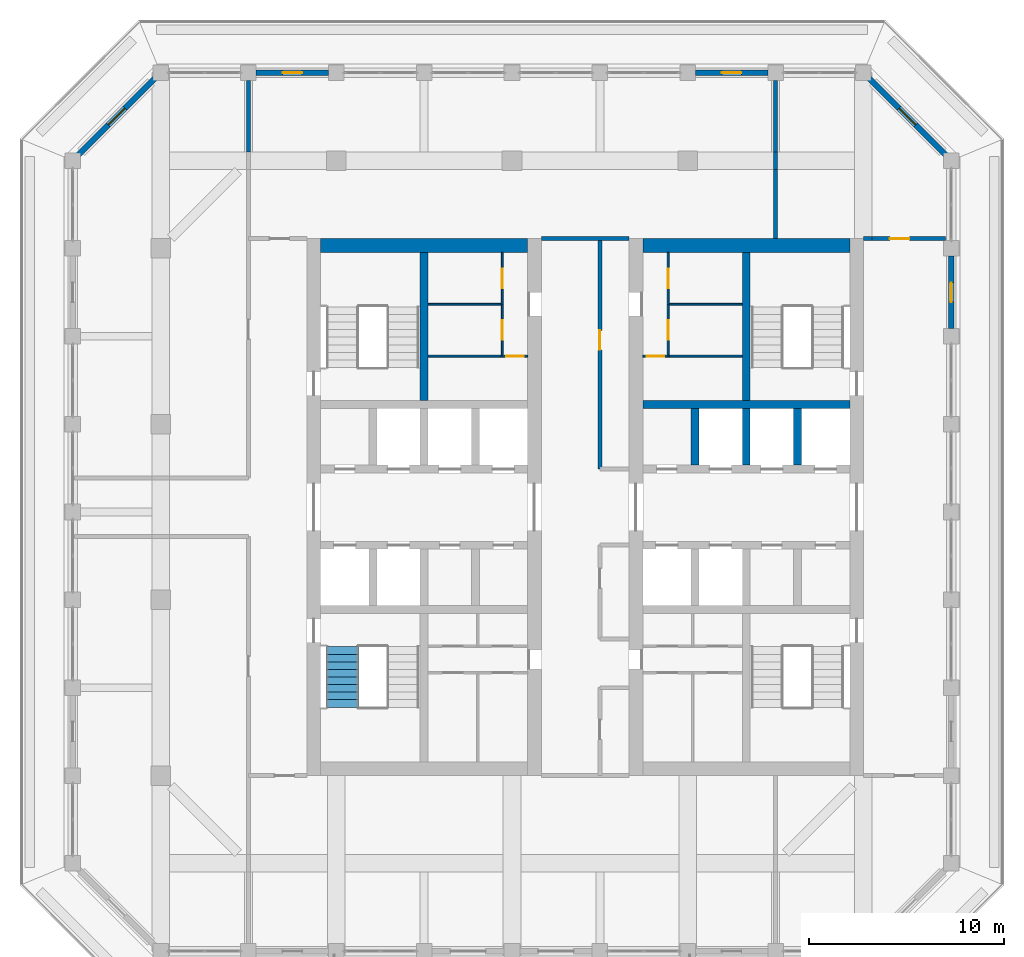
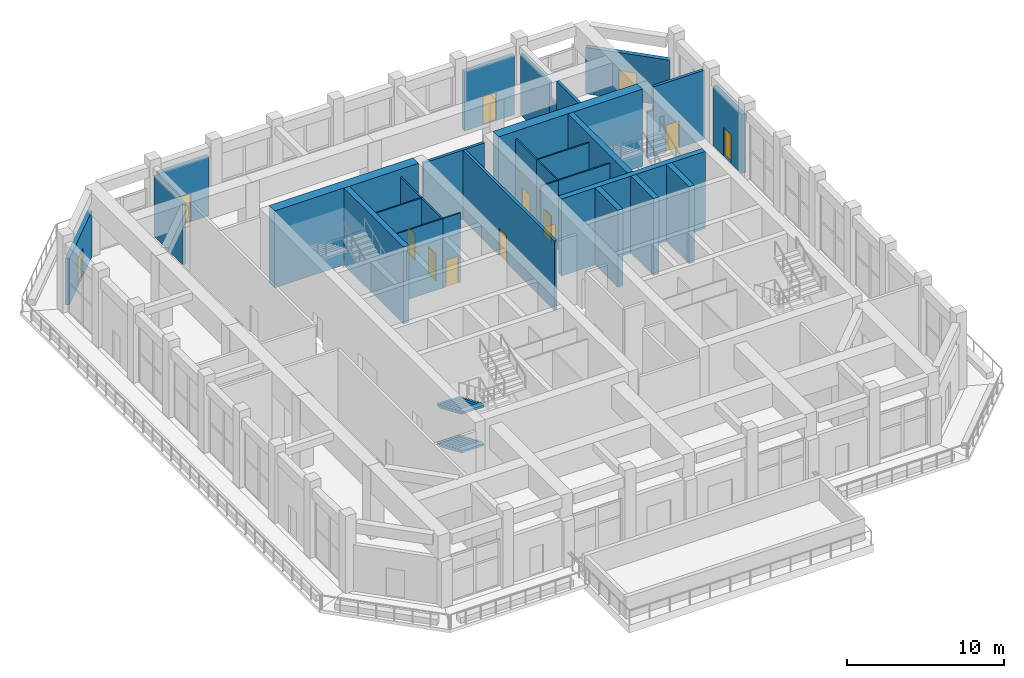
# One storey, part 12 of 20: 31 walls, 13 doors, 2 stair flights, 13 openings, 1 element without a shape of its own.
"""IFC4 building model written with IfcOpenShell, lengths in metres."""

from ifc_helpers import new_model, si_unit, direction, frame, frame_2d, origin, place, context, subcontext, project, spatial, polyline, rectangle, outline, extrude, material, layer, layer_set, type_object, element, fill, aggregate, save


model = new_model("IFC4")

# Units and contexts
model_context = context("Model", 3, precision=1e-05, world=origin(), true_north=direction((0.0, 1.0)))
body_context = subcontext(model_context, "Body", "Model", "MODEL_VIEW")
ifc_project = project(units=[si_unit("LENGTHUNIT", "METRE"), si_unit("AREAUNIT", "SQUARE_METRE"), si_unit("VOLUMEUNIT", "CUBIC_METRE"), si_unit("PLANEANGLEUNIT", "RADIAN"), si_unit("MASSUNIT", "GRAM", prefix="KILO")], contexts=[model_context])

# Site, building, storey
site_placement = place(None, origin())
site = spatial("IfcSite", under=ifc_project, at=site_placement, CompositionType="ELEMENT")
building_placement = place(site_placement, origin())
building = spatial("IfcBuilding", under=site, at=building_placement, Name="Corbel Stack Research Tower", CompositionType="ELEMENT")
storey_placement = place(building_placement, frame((0.0, 0.0, 295.0)))
storey = spatial("IfcBuildingStorey", under=building, at=storey_placement, Name="L67", CompositionType="ELEMENT", Elevation=295.0)

# Walls
ifc_material_1 = material(Name="Concrete C60/75", Category="concrete")
ifc_layer_1 = layer(ifc_material_1, 0.39990234375)
ifc_layer_set_1 = layer_set([ifc_layer_1], Name="Concrete C60/75")
wall_type_1 = type_object("IfcWallType", Name="CW-400-60", PredefinedType="SHEAR", material=ifc_layer_set_1)
wall_1_placement = place(storey_placement, frame((-4.5, 10.199951171875, 0.0), z_axis=(0.0, 0.0, 1.0), x_axis=(0.0, 1.0, 0.0)))
element("IfcWall", 1, at=wall_1_placement, inside=storey, type_object=wall_type_1, Name="West core wall, north stair and riser L67", PredefinedType="SHEAR", context=body_context, shape_type="SweptSolid", body=[
    extrude(rectangle(XDim=7.60009765625, YDim=0.39990234375, at=frame_2d((3.800048828125, 0.0))), origin(), (0.0, 0.0, 1.0), 6.0),
])
wall_2_placement = place(storey_placement, frame((6.699951171875, 10.0, 0.0), z_axis=(0.0, 0.0, 1.0), x_axis=(1.0, 0.0, 0.0)))
element("IfcWall", 2, at=wall_2_placement, inside=storey, type_object=wall_type_1, Name="East core wall, north row back L67", PredefinedType="SHEAR", context=body_context, shape_type="SweptSolid", body=[
    extrude(rectangle(XDim=10.60009765625, YDim=0.39990234375, at=frame_2d((5.300048828125, 0.0))), origin(), (0.0, 0.0, 1.0), 6.0),
])
for number, where, z_axis, x_axis, name in (
    (3, (9.375, 6.89990234375, 0.0), (0.0, 0.0, 1.0), (0.0, 1.0, 0.0), "East core wall, north shaft 1 L67"),
    (4, (12.0, 6.89990234375, 0.0), (0.0, 0.0, 1.0), (0.0, 1.0, 0.0), "East core wall, north shaft 2 L67"),
    (5, (14.625, 6.89990234375, 0.0), (0.0, 0.0, 1.0), (0.0, 1.0, 0.0), "East core wall, north shaft 3 L67"),
):
    element("IfcWall", number, at=place(storey_placement, frame(where, z_axis=z_axis, x_axis=x_axis)), inside=storey, type_object=wall_type_1, Name=name, PredefinedType="SHEAR", context=body_context, shape_type="SweptSolid", body=[
        extrude(rectangle(XDim=2.900146484375, YDim=0.39990234375, at=frame_2d((1.4501953125, 0.0))), origin(), (0.0, 0.0, 1.0), 6.0),
    ])
wall_3_placement = place(storey_placement, frame((12.0, 10.199951171875, 0.0), z_axis=(0.0, 0.0, 1.0), x_axis=(0.0, 1.0, 0.0)))
element("IfcWall", 6, at=wall_3_placement, inside=storey, type_object=wall_type_1, Name="East core wall, north stair and riser L67", PredefinedType="SHEAR", context=body_context, shape_type="SweptSolid", body=[
    extrude(rectangle(XDim=7.60009765625, YDim=0.39990234375, at=frame_2d((3.800048828125, 0.0))), origin(), (0.0, 0.0, 1.0), 6.0),
])
ifc_material_2 = material(Name="Concrete C60/75", Category="concrete")
ifc_layer_2 = layer(ifc_material_2, 0.699951171875)
ifc_layer_set_2 = layer_set([ifc_layer_2], Name="Concrete C60/75")
wall_type_2 = type_object("IfcWallType", Name="CW-700-60", PredefinedType="SHEAR", material=ifc_layer_set_2)
for number, where, z_axis, x_axis, name in (
    (7, (-9.800048828125, 18.14990234375, 0.0), (0.0, 0.0, 1.0), (1.0, 0.0, 0.0), "West core wall, north end L67"),
    (8, (6.699951171875, 18.14990234375, 0.0), (0.0, 0.0, 1.0), (1.0, 0.0, 0.0), "East core wall, north end L67"),
):
    element("IfcWall", number, at=place(storey_placement, frame(where, z_axis=z_axis, x_axis=x_axis)), inside=storey, type_object=wall_type_2, Name=name, PredefinedType="SHEAR", context=body_context, shape_type="SweptSolid", body=[
        extrude(rectangle(XDim=10.60009765625, YDim=0.699951171875, at=frame_2d((5.300048828125, 0.0))), origin(), (0.0, 0.0, 1.0), 6.0),
    ])

# Wall, opening, door
ifc_material_3 = material(Name="Gypsum board")
ifc_layer_3 = layer(ifc_material_3, 0.10009765625)
ifc_layer_set_3 = layer_set([ifc_layer_3], Name="Gypsum board")
wall_type_3 = type_object("IfcWallType", Name="Core partition 100", PredefinedType="PARTITIONING", material=ifc_layer_set_3)
wall_4_placement = place(storey_placement, frame((-0.5, 12.47998046875, 0.0), z_axis=(0.0, 0.0, 1.0), x_axis=(1.0, 0.0, 0.0)))
wall_4 = element("IfcWall", 9, at=wall_4_placement, inside=storey, type_object=wall_type_3, Name="Core partition W", PredefinedType="PARTITIONING", context=body_context, shape_type="SweptSolid", body=[
    extrude(rectangle(XDim=1.300048828125, YDim=0.10009765625, at=frame_2d((0.64990234375, 0.0))), origin(), (0.0, 0.0, 1.0), 5.39990234375),
])
opening_1_placement = place(wall_4_placement, frame((0.199951171875, 0.0, 0.0)))
opening_1 = element("IfcOpeningElement", 10, at=opening_1_placement, cuts=wall_4, Name="Opening CR-W54-R1-900", PredefinedType="OPENING", context=body_context, shape_type="SweptSolid", body=[
    extrude(rectangle(XDim=0.89990234375, YDim=2.10009765625, at=frame_2d((0.449951171875, 1.050048828125))), frame((0.0, 0.06005859375, 0.0), z_axis=(0.0, -1.0, 0.0), x_axis=(1.0, 0.0, 0.0)), (0.0, 0.0, 1.0), 0.1201171875),
])
ifc_material_4 = material(Name="Painted steel door", Category="steel")
door_type_1 = type_object("IfcDoorType", Name="Riser door 900 x 2100 FD60 left hand", OperationType="SINGLE_SWING_LEFT", PredefinedType="DOOR", material=ifc_material_4)
door_1_placement = place(opening_1_placement, origin())
door_1 = element("IfcDoor", 11, at=door_1_placement, inside=storey, type_object=door_type_1, Name="Electrical riser door W core", OperationType="SINGLE_SWING_LEFT", OverallHeight=2.10009765625, OverallWidth=0.89990234375, PredefinedType="DOOR", context=body_context, shape_type="SweptSolid", body=[
    extrude(rectangle(XDim=0.89990234375, YDim=2.10009765625, at=frame_2d((0.449951171875, 1.050048828125))), frame((0.0, 0.02490234375, 0.0), z_axis=(0.0, -1.0, 0.0), x_axis=(1.0, 0.0, 0.0)), (0.0, 0.0, 1.0), 0.050048828125),
])
fill(opening_1, door_1)

# Wall
wall_5_placement = place(storey_placement, frame((-4.300048828125, 12.47998046875, 0.0), z_axis=(0.0, 0.0, 1.0), x_axis=(1.0, 0.0, 0.0)))
element("IfcWall", 12, at=wall_5_placement, inside=storey, type_object=wall_type_3, Name="Core partition W", PredefinedType="PARTITIONING", context=body_context, shape_type="SweptSolid", body=[
    extrude(rectangle(XDim=3.800048828125, YDim=0.10009765625, at=frame_2d((1.89990234375, 0.0))), origin(), (0.0, 0.0, 1.0), 5.39990234375),
])

# Wall, opening, door
wall_6_placement = place(storey_placement, frame((-0.5, 12.47998046875, 0.0), z_axis=(0.0, 0.0, 1.0), x_axis=(0.0, 1.0, 0.0)))
wall_6 = element("IfcWall", 13, at=wall_6_placement, inside=storey, type_object=wall_type_3, Name="Core partition W", PredefinedType="PARTITIONING", context=body_context, shape_type="SweptSolid", body=[
    extrude(rectangle(XDim=2.659912109375, YDim=0.10009765625, at=frame_2d((1.330078125, 0.0))), origin(), (0.0, 0.0, 1.0), 5.39990234375),
])
opening_2_placement = place(wall_6_placement, frame((0.830078125, 0.0, 0.0)))
opening_2 = element("IfcOpeningElement", 14, at=opening_2_placement, cuts=wall_6, Name="Opening CR-W54-R3-1000", PredefinedType="OPENING", context=body_context, shape_type="SweptSolid", body=[
    extrude(rectangle(XDim=1.0, YDim=2.10009765625, at=frame_2d((0.5, 1.050048828125))), frame((0.0, 0.06005859375, 0.0), z_axis=(0.0, -1.0, 0.0), x_axis=(1.0, 0.0, 0.0)), (0.0, 0.0, 1.0), 0.1201171875),
])
ifc_material_5 = material(Name="Painted steel door", Category="steel")
door_type_2 = type_object("IfcDoorType", Name="Service door 1000 x 2100 FD30 left hand", OperationType="SINGLE_SWING_LEFT", PredefinedType="DOOR", material=ifc_material_5)
door_2_placement = place(opening_2_placement, origin())
door_2 = element("IfcDoor", 15, at=door_2_placement, inside=storey, type_object=door_type_2, Name="Pantry door W core", OperationType="SINGLE_SWING_LEFT", OverallHeight=2.10009765625, OverallWidth=1.0, PredefinedType="DOOR", context=body_context, shape_type="SweptSolid", body=[
    extrude(rectangle(XDim=1.0, YDim=2.10009765625, at=frame_2d((0.5, 1.050048828125))), frame((0.0, 0.02490234375, 0.0), z_axis=(0.0, -1.0, 0.0), x_axis=(1.0, 0.0, 0.0)), (0.0, 0.0, 1.0), 0.050048828125),
])
fill(opening_2, door_2)

wall_7_placement = place(storey_placement, frame((-0.5, 15.139892578125, 0.0), z_axis=(0.0, 0.0, 1.0), x_axis=(0.0, 1.0, 0.0)))
wall_7 = element("IfcWall", 16, at=wall_7_placement, inside=storey, type_object=wall_type_3, Name="Core partition W", PredefinedType="PARTITIONING", context=body_context, shape_type="SweptSolid", body=[
    extrude(rectangle(XDim=2.66015625, YDim=0.10009765625, at=frame_2d((1.330078125, 0.0))), origin(), (0.0, 0.0, 1.0), 5.39990234375),
])
opening_3_placement = place(wall_7_placement, frame((0.830078125, 0.0, 0.0)))
opening_3 = element("IfcOpeningElement", 17, at=opening_3_placement, cuts=wall_7, Name="Opening CR-W54-R4-1000", PredefinedType="OPENING", context=body_context, shape_type="SweptSolid", body=[
    extrude(rectangle(XDim=1.0, YDim=2.10009765625, at=frame_2d((0.5, 1.050048828125))), frame((0.0, 0.06005859375, 0.0), z_axis=(0.0, -1.0, 0.0), x_axis=(1.0, 0.0, 0.0)), (0.0, 0.0, 1.0), 0.1201171875),
])
ifc_material_6 = material(Name="Painted steel door", Category="steel")
door_type_3 = type_object("IfcDoorType", Name="Service door 1000 x 2100 FD30 right hand", OperationType="SINGLE_SWING_RIGHT", PredefinedType="DOOR", material=ifc_material_6)
door_3_placement = place(opening_3_placement, origin())
door_3 = element("IfcDoor", 18, at=door_3_placement, inside=storey, type_object=door_type_3, Name="Copy and supply store door W core", OperationType="SINGLE_SWING_RIGHT", OverallHeight=2.10009765625, OverallWidth=1.0, PredefinedType="DOOR", context=body_context, shape_type="SweptSolid", body=[
    extrude(rectangle(XDim=1.0, YDim=2.10009765625, at=frame_2d((0.5, 1.050048828125))), frame((0.0, 0.02490234375, 0.0), z_axis=(0.0, -1.0, 0.0), x_axis=(1.0, 0.0, 0.0)), (0.0, 0.0, 1.0), 0.050048828125),
])
fill(opening_3, door_3)

# Wall
wall_8_placement = place(storey_placement, frame((-4.300048828125, 15.139892578125, 0.0), z_axis=(0.0, 0.0, 1.0), x_axis=(1.0, 0.0, 0.0)))
element("IfcWall", 19, at=wall_8_placement, inside=storey, type_object=wall_type_3, Name="Core partition W", PredefinedType="PARTITIONING", context=body_context, shape_type="SweptSolid", body=[
    extrude(rectangle(XDim=3.800048828125, YDim=0.10009765625, at=frame_2d((1.89990234375, 0.0))), origin(), (0.0, 0.0, 1.0), 5.39990234375),
])

# Wall, opening, door
wall_9_placement = place(storey_placement, frame((6.699951171875, 12.47998046875, 0.0), z_axis=(0.0, 0.0, 1.0), x_axis=(1.0, 0.0, 0.0)))
wall_9 = element("IfcWall", 20, at=wall_9_placement, inside=storey, type_object=wall_type_3, Name="Core partition E", PredefinedType="PARTITIONING", context=body_context, shape_type="SweptSolid", body=[
    extrude(rectangle(XDim=1.300048828125, YDim=0.10009765625, at=frame_2d((0.64990234375, 0.0))), origin(), (0.0, 0.0, 1.0), 5.39990234375),
])
opening_4_placement = place(wall_9_placement, frame((0.199951171875, 0.0, 0.0)))
opening_4 = element("IfcOpeningElement", 21, at=opening_4_placement, cuts=wall_9, Name="Opening CR-E54-R1-900", PredefinedType="OPENING", context=body_context, shape_type="SweptSolid", body=[
    extrude(rectangle(XDim=0.89990234375, YDim=2.10009765625, at=frame_2d((0.449951171875, 1.050048828125))), frame((0.0, 0.06005859375, 0.0), z_axis=(0.0, -1.0, 0.0), x_axis=(1.0, 0.0, 0.0)), (0.0, 0.0, 1.0), 0.1201171875),
])
ifc_material_7 = material(Name="Painted steel door", Category="steel")
door_type_4 = type_object("IfcDoorType", Name="Riser door 900 x 2100 FD60 right hand", OperationType="SINGLE_SWING_RIGHT", PredefinedType="DOOR", material=ifc_material_7)
door_4_placement = place(opening_4_placement, origin())
door_4 = element("IfcDoor", 22, at=door_4_placement, inside=storey, type_object=door_type_4, Name="Electrical riser door E core", OperationType="SINGLE_SWING_RIGHT", OverallHeight=2.10009765625, OverallWidth=0.89990234375, PredefinedType="DOOR", context=body_context, shape_type="SweptSolid", body=[
    extrude(rectangle(XDim=0.89990234375, YDim=2.10009765625, at=frame_2d((0.449951171875, 1.050048828125))), frame((0.0, 0.02490234375, 0.0), z_axis=(0.0, -1.0, 0.0), x_axis=(1.0, 0.0, 0.0)), (0.0, 0.0, 1.0), 0.050048828125),
])
fill(opening_4, door_4)

# Wall
wall_10_placement = place(storey_placement, frame((8.0, 12.47998046875, 0.0), z_axis=(0.0, 0.0, 1.0), x_axis=(1.0, 0.0, 0.0)))
element("IfcWall", 23, at=wall_10_placement, inside=storey, type_object=wall_type_3, Name="Core partition E", PredefinedType="PARTITIONING", context=body_context, shape_type="SweptSolid", body=[
    extrude(rectangle(XDim=3.800048828125, YDim=0.10009765625, at=frame_2d((1.89990234375, 0.0))), origin(), (0.0, 0.0, 1.0), 5.39990234375),
])

# Wall, opening, door
wall_11_placement = place(storey_placement, frame((8.0, 12.47998046875, 0.0), z_axis=(0.0, 0.0, 1.0), x_axis=(0.0, 1.0, 0.0)))
wall_11 = element("IfcWall", 24, at=wall_11_placement, inside=storey, type_object=wall_type_3, Name="Core partition E", PredefinedType="PARTITIONING", context=body_context, shape_type="SweptSolid", body=[
    extrude(rectangle(XDim=2.659912109375, YDim=0.10009765625, at=frame_2d((1.330078125, 0.0))), origin(), (0.0, 0.0, 1.0), 5.39990234375),
])
opening_5_placement = place(wall_11_placement, frame((0.830078125, 0.0, 0.0)))
opening_5 = element("IfcOpeningElement", 25, at=opening_5_placement, cuts=wall_11, Name="Opening CR-E54-R3-1000", PredefinedType="OPENING", context=body_context, shape_type="SweptSolid", body=[
    extrude(rectangle(XDim=1.0, YDim=2.10009765625, at=frame_2d((0.5, 1.050048828125))), frame((0.0, 0.06005859375, 0.0), z_axis=(0.0, -1.0, 0.0), x_axis=(1.0, 0.0, 0.0)), (0.0, 0.0, 1.0), 0.1201171875),
])
door_5_placement = place(opening_5_placement, origin())
door_5 = element("IfcDoor", 26, at=door_5_placement, inside=storey, type_object=door_type_3, Name="Pantry door E core", OperationType="SINGLE_SWING_RIGHT", OverallHeight=2.10009765625, OverallWidth=1.0, PredefinedType="DOOR", context=body_context, shape_type="SweptSolid", body=[
    extrude(rectangle(XDim=1.0, YDim=2.10009765625, at=frame_2d((0.5, 1.050048828125))), frame((0.0, 0.02490234375, 0.0), z_axis=(0.0, -1.0, 0.0), x_axis=(1.0, 0.0, 0.0)), (0.0, 0.0, 1.0), 0.050048828125),
])
fill(opening_5, door_5)

wall_12_placement = place(storey_placement, frame((8.0, 15.139892578125, 0.0), z_axis=(0.0, 0.0, 1.0), x_axis=(0.0, 1.0, 0.0)))
wall_12 = element("IfcWall", 27, at=wall_12_placement, inside=storey, type_object=wall_type_3, Name="Core partition E", PredefinedType="PARTITIONING", context=body_context, shape_type="SweptSolid", body=[
    extrude(rectangle(XDim=2.66015625, YDim=0.10009765625, at=frame_2d((1.330078125, 0.0))), origin(), (0.0, 0.0, 1.0), 5.39990234375),
])
opening_6_placement = place(wall_12_placement, frame((0.830078125, 0.0, 0.0)))
opening_6 = element("IfcOpeningElement", 28, at=opening_6_placement, cuts=wall_12, Name="Opening CR-E54-R4-1000", PredefinedType="OPENING", context=body_context, shape_type="SweptSolid", body=[
    extrude(rectangle(XDim=1.0, YDim=2.10009765625, at=frame_2d((0.5, 1.050048828125))), frame((0.0, 0.06005859375, 0.0), z_axis=(0.0, -1.0, 0.0), x_axis=(1.0, 0.0, 0.0)), (0.0, 0.0, 1.0), 0.1201171875),
])
door_6_placement = place(opening_6_placement, origin())
door_6 = element("IfcDoor", 29, at=door_6_placement, inside=storey, type_object=door_type_2, Name="Copy and supply store door E core", OperationType="SINGLE_SWING_LEFT", OverallHeight=2.10009765625, OverallWidth=1.0, PredefinedType="DOOR", context=body_context, shape_type="SweptSolid", body=[
    extrude(rectangle(XDim=1.0, YDim=2.10009765625, at=frame_2d((0.5, 1.050048828125))), frame((0.0, 0.02490234375, 0.0), z_axis=(0.0, -1.0, 0.0), x_axis=(1.0, 0.0, 0.0)), (0.0, 0.0, 1.0), 0.050048828125),
])
fill(opening_6, door_6)

# Walls
wall_13_placement = place(storey_placement, frame((8.0, 15.139892578125, 0.0), z_axis=(0.0, 0.0, 1.0), x_axis=(1.0, 0.0, 0.0)))
element("IfcWall", 30, at=wall_13_placement, inside=storey, type_object=wall_type_3, Name="Core partition E", PredefinedType="PARTITIONING", context=body_context, shape_type="SweptSolid", body=[
    extrude(rectangle(XDim=3.800048828125, YDim=0.10009765625, at=frame_2d((1.89990234375, 0.0))), origin(), (0.0, 0.0, 1.0), 5.39990234375),
])
ifc_material_8 = material(Name="Fire-rated gypsum board partition on steel studs", Category="steel")
ifc_layer_4 = layer(ifc_material_8, 0.199951171875)
ifc_layer_set_4 = layer_set([ifc_layer_4], Name="Fire-rated gypsum board partition on steel studs")
wall_type_4 = type_object("IfcWallType", Name="Fire-rated partition 200 EI 60", PredefinedType="PARTITIONING", material=ifc_layer_set_4)
wall_14_placement = place(storey_placement, frame((-13.5, 22.949951171875, 0.0), z_axis=(0.0, 0.0, 1.0), x_axis=(0.0, 1.0, 0.0)))
element("IfcWall", 31, at=wall_14_placement, inside=storey, type_object=wall_type_4, Name="Partition L67-006", PredefinedType="PARTITIONING", context=body_context, shape_type="SweptSolid", body=[
    extrude(rectangle(XDim=3.650146484375, YDim=0.199951171875, at=frame_2d((1.8251953125, 0.0))), origin(), (0.0, 0.0, 1.0), 4.77001953125),
])

# Wall, opening, door
wall_15_placement = place(storey_placement, frame((4.5, 18.5, 0.0), z_axis=(0.0, 0.0, 1.0), x_axis=(0.0, -1.0, 0.0)))
wall_15 = element("IfcWall", 32, at=wall_15_placement, inside=storey, type_object=wall_type_4, Name="Partition L67-009", PredefinedType="PARTITIONING", context=body_context, shape_type="SweptSolid", body=[
    extrude(rectangle(XDim=11.800048828125, YDim=0.199951171875, at=frame_2d((5.89990234375, 0.0))), origin(), (0.0, 0.0, 1.0), 5.39990234375),
])
opening_7_placement = place(wall_15_placement, frame((4.699951171875, 0.0, 0.0)))
opening_7 = element("IfcOpeningElement", 33, at=opening_7_placement, cuts=wall_15, Name="Opening B8AM-007", PredefinedType="OPENING", context=body_context, shape_type="SweptSolid", body=[
    extrude(rectangle(XDim=1.0, YDim=2.10009765625, at=frame_2d((0.5, 1.050048828125))), frame((0.0, 0.10986328125, 0.0), z_axis=(0.0, -1.0, 0.0), x_axis=(1.0, 0.0, 0.0)), (0.0, 0.0, 1.0), 0.219970703125),
])
ifc_material_9 = material(Name="Painted steel fire door", Category="steel")
door_type_5 = type_object("IfcDoorType", Name="Fire door FD30S 1000 x 2100", OperationType="NOTDEFINED", PredefinedType="DOOR", material=ifc_material_9)
door_7_placement = place(opening_7_placement, origin())
door_7 = element("IfcDoor", 34, at=door_7_placement, inside=storey, type_object=door_type_5, Name="Door B8AM-007", OperationType="SINGLE_SWING_LEFT", OverallHeight=2.10009765625, OverallWidth=1.0, PredefinedType="DOOR", context=body_context, shape_type="SweptSolid", body=[
    extrude(rectangle(XDim=1.0, YDim=2.10009765625, at=frame_2d((0.5, 1.050048828125))), frame((0.0, 0.02490234375, 0.0), z_axis=(0.0, -1.0, 0.0), x_axis=(1.0, 0.0, 0.0)), (0.0, 0.0, 1.0), 0.050048828125),
])
fill(opening_7, door_7)

# Walls
wall_16_placement = place(storey_placement, frame((13.5, 18.5, 0.0), z_axis=(0.0, 0.0, 1.0), x_axis=(0.0, 1.0, 0.0)))
element("IfcWall", 35, at=wall_16_placement, inside=storey, type_object=wall_type_4, Name="Partition L67-013", PredefinedType="PARTITIONING", context=body_context, shape_type="SweptSolid", body=[
    extrude(rectangle(XDim=3.550048828125, YDim=0.199951171875, at=frame_2d((1.77490234375, 0.0))), origin(), (0.0, 0.0, 1.0), 5.39990234375),
])
wall_17_placement = place(storey_placement, frame((13.5, 22.050048828125, 0.0), z_axis=(0.0, 0.0, 1.0), x_axis=(0.0, 1.0, 0.0)))
element("IfcWall", 36, at=wall_17_placement, inside=storey, type_object=wall_type_4, Name="Partition L67-014", PredefinedType="PARTITIONING", context=body_context, shape_type="SweptSolid", body=[
    extrude(rectangle(XDim=0.89990234375, YDim=0.199951171875, at=frame_2d((0.449951171875, 0.0))), origin(), (0.0, 0.0, 1.0), 3.570068359375),
])
wall_18_placement = place(storey_placement, frame((13.5, 22.949951171875, 0.0), z_axis=(0.0, 0.0, 1.0), x_axis=(0.0, 1.0, 0.0)))
element("IfcWall", 37, at=wall_18_placement, inside=storey, type_object=wall_type_4, Name="Partition L67-015", PredefinedType="PARTITIONING", context=body_context, shape_type="SweptSolid", body=[
    extrude(rectangle(XDim=3.650146484375, YDim=0.199951171875, at=frame_2d((1.8251953125, 0.0))), origin(), (0.0, 0.0, 1.0), 4.77001953125),
])
wall_19_placement = place(storey_placement, frame((1.5, 18.5, 0.0), z_axis=(0.0, 0.0, 1.0), x_axis=(1.0, 0.0, 0.0)))
element("IfcWall", 38, at=wall_19_placement, inside=storey, type_object=wall_type_4, Name="Partition L67-031", PredefinedType="PARTITIONING", context=body_context, shape_type="SweptSolid", body=[
    extrude(rectangle(XDim=4.5, YDim=0.199951171875, at=frame_2d((2.25, 0.0))), origin(), (0.0, 0.0, 1.0), 5.39990234375),
])
wall_20_placement = place(storey_placement, frame((18.0, 18.5, 0.0), z_axis=(0.0, 0.0, 1.0), x_axis=(1.0, 0.0, 0.0)))
element("IfcWall", 39, at=wall_20_placement, inside=storey, type_object=wall_type_4, Name="Partition L67-032", PredefinedType="PARTITIONING", context=body_context, shape_type="SweptSolid", body=[
    extrude(rectangle(XDim=0.449951171875, YDim=0.199951171875, at=frame_2d((0.22509765625, 0.0))), origin(), (0.0, 0.0, 1.0), 3.570068359375),
])

# Wall, opening, door
wall_21_placement = place(storey_placement, frame((18.449951171875, 18.5, 0.0), z_axis=(0.0, 0.0, 1.0), x_axis=(1.0, 0.0, 0.0)))
wall_21 = element("IfcWall", 40, at=wall_21_placement, inside=storey, type_object=wall_type_4, Name="Partition L67-033", PredefinedType="PARTITIONING", context=body_context, shape_type="SweptSolid", body=[
    extrude(rectangle(XDim=3.7509765625, YDim=0.199951171875, at=frame_2d((1.87548828125, 0.0))), origin(), (0.0, 0.0, 1.0), 5.39990234375),
])
opening_8_placement = place(wall_21_placement, frame((0.89990234375, 0.0, 0.0)))
opening_8 = element("IfcOpeningElement", 41, at=opening_8_placement, cuts=wall_21, Name="Opening B8AM-009", PredefinedType="OPENING", context=body_context, shape_type="SweptSolid", body=[
    extrude(rectangle(XDim=1.0, YDim=2.10009765625, at=frame_2d((0.5, 1.050048828125))), frame((0.0, 0.10986328125, 0.0), z_axis=(0.0, -1.0, 0.0), x_axis=(1.0, 0.0, 0.0)), (0.0, 0.0, 1.0), 0.219970703125),
])
door_8_placement = place(opening_8_placement, origin())
door_8 = element("IfcDoor", 42, at=door_8_placement, inside=storey, type_object=door_type_5, Name="Door B8AM-009", OperationType="SINGLE_SWING_LEFT", OverallHeight=2.10009765625, OverallWidth=1.0, PredefinedType="DOOR", context=body_context, shape_type="SweptSolid", body=[
    extrude(rectangle(XDim=1.0, YDim=2.10009765625, at=frame_2d((0.5, 1.050048828125))), frame((0.0, 0.02490234375, 0.0), z_axis=(0.0, -1.0, 0.0), x_axis=(1.0, 0.0, 0.0)), (0.0, 0.0, 1.0), 0.050048828125),
])
fill(opening_8, door_8)

ifc_material_10 = material(Name="Concrete C45/55", Category="concrete")
ifc_layer_5 = layer(ifc_material_10, 0.300048828125)
ifc_layer_set_5 = layer_set([ifc_layer_5], Name="Concrete C45/55")
wall_type_5 = type_object("IfcWallType", Name="Terracotta-faced concrete wall 300", PredefinedType="SOLIDWALL", material=ifc_layer_set_5)
wall_22_placement = place(storey_placement, frame((22.5, 17.60009765625, 0.0), z_axis=(0.0, 0.0, 1.0), x_axis=(0.0, -1.0, 0.0)))
wall_22 = element("IfcWall", 43, at=wall_22_placement, inside=storey, type_object=wall_type_5, Name="Facade wall L67 E07", PredefinedType="SOLIDWALL", context=body_context, shape_type="SweptSolid", body=[
    extrude(rectangle(XDim=3.7001953125, YDim=0.300048828125, at=frame_2d((1.85009765625, 0.0))), origin(), (0.0, 0.0, 1.0), 4.60009765625),
])
opening_9_placement = place(wall_22_placement, frame((1.35009765625, 0.0, 0.0)))
opening_9 = element("IfcOpeningElement", 44, at=opening_9_placement, cuts=wall_22, Name="Opening L67-B07", PredefinedType="OPENING", context=body_context, shape_type="SweptSolid", body=[
    extrude(rectangle(XDim=1.0, YDim=2.199951171875, at=frame_2d((0.5, 1.10009765625))), frame((0.0, 0.159912109375, 0.0), z_axis=(0.0, -1.0, 0.0), x_axis=(1.0, 0.0, 0.0)), (0.0, 0.0, 1.0), 0.320068359375),
])
ifc_material_11 = material(Name="Aluminium frame, clear double glazing", Category="aluminium")
door_type_6 = type_object("IfcDoorType", Name="Balcony door BD1 1000 x 2200", OperationType="NOTDEFINED", PredefinedType="DOOR", material=ifc_material_11)
door_9_placement = place(opening_9_placement, origin())
door_9 = element("IfcDoor", 45, at=door_9_placement, inside=storey, type_object=door_type_6, Name="Balcony door L67-B07", OperationType="SINGLE_SWING_RIGHT", OverallHeight=2.199951171875, OverallWidth=1.0, PredefinedType="DOOR", context=body_context, shape_type="SweptSolid", body=[
    extrude(rectangle(XDim=1.0, YDim=2.199951171875, at=frame_2d((0.5, 1.10009765625))), frame((0.0, 0.02490234375, 0.0), z_axis=(0.0, -1.0, 0.0), x_axis=(1.0, 0.0, 0.0)), (0.0, 0.0, 1.0), 0.050048828125),
])
fill(opening_9, door_9)

wall_23_placement = place(storey_placement, frame((18.2939453125, 26.7060546875, 0.0), z_axis=(0.0, 0.0, 1.0), x_axis=(0.707106781187, -0.707106781187, 0.0)))
wall_23 = element("IfcWall", 46, at=wall_23_placement, inside=storey, type_object=wall_type_5, Name="Facade wall L67 NE01", PredefinedType="SOLIDWALL", context=body_context, shape_type="SweptSolid", body=[
    extrude(rectangle(XDim=5.532470703125, YDim=0.300048828125, at=frame_2d((2.76611328125, 0.0))), origin(), (0.0, 0.0, 1.0), 3.60009765625),
])
opening_10_placement = place(wall_23_placement, frame((2.166259765625, 0.0, 0.0)))
opening_10 = element("IfcOpeningElement", 47, at=opening_10_placement, cuts=wall_23, Name="Opening L67-B08", PredefinedType="OPENING", context=body_context, shape_type="SweptSolid", body=[
    extrude(rectangle(XDim=1.199951171875, YDim=2.199951171875, at=frame_2d((0.60009765625, 1.10009765625))), frame((0.0, 0.159912109375, 0.0), z_axis=(0.0, -1.0, 0.0), x_axis=(1.0, 0.0, 0.0)), (0.0, 0.0, 1.0), 0.320068359375),
])
ifc_material_12 = material(Name="Aluminium frame, clear double glazing", Category="aluminium")
door_type_7 = type_object("IfcDoorType", Name="Balcony door BD2 1200 x 2200", OperationType="NOTDEFINED", PredefinedType="DOOR", material=ifc_material_12)
door_10_placement = place(opening_10_placement, origin())
door_10 = element("IfcDoor", 48, at=door_10_placement, inside=storey, type_object=door_type_7, Name="Balcony door L67-B08", OperationType="SINGLE_SWING_RIGHT", OverallHeight=2.199951171875, OverallWidth=1.199951171875, PredefinedType="DOOR", context=body_context, shape_type="SweptSolid", body=[
    extrude(rectangle(XDim=1.199951171875, YDim=2.199951171875, at=frame_2d((0.60009765625, 1.10009765625))), frame((0.0, 0.02490234375, 0.0), z_axis=(0.0, -1.0, 0.0), x_axis=(1.0, 0.0, 0.0)), (0.0, 0.0, 1.0), 0.050048828125),
])
fill(opening_10, door_10)

wall_24_placement = place(storey_placement, frame((9.39990234375, 27.0, 0.0), z_axis=(0.0, 0.0, 1.0), x_axis=(1.0, 0.0, 0.0)))
wall_24 = element("IfcWall", 49, at=wall_24_placement, inside=storey, type_object=wall_type_5, Name="Facade wall L67 N02", PredefinedType="SOLIDWALL", context=body_context, shape_type="SweptSolid", body=[
    extrude(rectangle(XDim=3.7001953125, YDim=0.300048828125, at=frame_2d((1.85009765625, 0.0))), origin(), (0.0, 0.0, 1.0), 4.60009765625),
])
opening_11_placement = place(wall_24_placement, frame((1.35009765625, 0.0, 0.0)))
opening_11 = element("IfcOpeningElement", 50, at=opening_11_placement, cuts=wall_24, Name="Opening L67-B09", PredefinedType="OPENING", context=body_context, shape_type="SweptSolid", body=[
    extrude(rectangle(XDim=1.0, YDim=2.199951171875, at=frame_2d((0.5, 1.10009765625))), frame((0.0, 0.159912109375, 0.0), z_axis=(0.0, -1.0, 0.0), x_axis=(1.0, 0.0, 0.0)), (0.0, 0.0, 1.0), 0.320068359375),
])
door_11_placement = place(opening_11_placement, origin())
door_11 = element("IfcDoor", 51, at=door_11_placement, inside=storey, type_object=door_type_6, Name="Balcony door L67-B09", OperationType="SINGLE_SWING_LEFT", OverallHeight=2.199951171875, OverallWidth=1.0, PredefinedType="DOOR", context=body_context, shape_type="SweptSolid", body=[
    extrude(rectangle(XDim=1.0, YDim=2.199951171875, at=frame_2d((0.5, 1.10009765625))), frame((0.0, 0.02490234375, 0.0), z_axis=(0.0, -1.0, 0.0), x_axis=(1.0, 0.0, 0.0)), (0.0, 0.0, 1.0), 0.050048828125),
])
fill(opening_11, door_11)

wall_25_placement = place(storey_placement, frame((-13.10009765625, 27.0, 0.0), z_axis=(0.0, 0.0, 1.0), x_axis=(1.0, 0.0, 0.0)))
wall_25 = element("IfcWall", 52, at=wall_25_placement, inside=storey, type_object=wall_type_5, Name="Facade wall L67 N07", PredefinedType="SOLIDWALL", context=body_context, shape_type="SweptSolid", body=[
    extrude(rectangle(XDim=3.7001953125, YDim=0.300048828125, at=frame_2d((1.85009765625, 0.0))), origin(), (0.0, 0.0, 1.0), 4.60009765625),
])
opening_12_placement = place(wall_25_placement, frame((1.35009765625, 0.0, 0.0)))
opening_12 = element("IfcOpeningElement", 53, at=opening_12_placement, cuts=wall_25, Name="Opening L67-B10", PredefinedType="OPENING", context=body_context, shape_type="SweptSolid", body=[
    extrude(rectangle(XDim=1.0, YDim=2.199951171875, at=frame_2d((0.5, 1.10009765625))), frame((0.0, 0.159912109375, 0.0), z_axis=(0.0, -1.0, 0.0), x_axis=(1.0, 0.0, 0.0)), (0.0, 0.0, 1.0), 0.320068359375),
])
door_12_placement = place(opening_12_placement, origin())
door_12 = element("IfcDoor", 54, at=door_12_placement, inside=storey, type_object=door_type_6, Name="Balcony door L67-B10", OperationType="SINGLE_SWING_RIGHT", OverallHeight=2.199951171875, OverallWidth=1.0, PredefinedType="DOOR", context=body_context, shape_type="SweptSolid", body=[
    extrude(rectangle(XDim=1.0, YDim=2.199951171875, at=frame_2d((0.5, 1.10009765625))), frame((0.0, 0.02490234375, 0.0), z_axis=(0.0, -1.0, 0.0), x_axis=(1.0, 0.0, 0.0)), (0.0, 0.0, 1.0), 0.050048828125),
])
fill(opening_12, door_12)

wall_26_placement = place(storey_placement, frame((-22.2060546875, 22.7939453125, 0.0), z_axis=(0.0, 0.0, 1.0), x_axis=(0.707106781187, 0.707106781187, 0.0)))
wall_26 = element("IfcWall", 55, at=wall_26_placement, inside=storey, type_object=wall_type_5, Name="Facade wall L67 NW01", PredefinedType="SOLIDWALL", context=body_context, shape_type="SweptSolid", body=[
    extrude(rectangle(XDim=5.532470703125, YDim=0.300048828125, at=frame_2d((2.76611328125, 0.0))), origin(), (0.0, 0.0, 1.0), 3.60009765625),
])
opening_13_placement = place(wall_26_placement, frame((2.166259765625, 0.0, 0.0)))
opening_13 = element("IfcOpeningElement", 56, at=opening_13_placement, cuts=wall_26, Name="Opening L67-B11", PredefinedType="OPENING", context=body_context, shape_type="SweptSolid", body=[
    extrude(rectangle(XDim=1.199951171875, YDim=2.199951171875, at=frame_2d((0.60009765625, 1.10009765625))), frame((0.0, 0.159912109375, 0.0), z_axis=(0.0, -1.0, 0.0), x_axis=(1.0, 0.0, 0.0)), (0.0, 0.0, 1.0), 0.320068359375),
])
door_13_placement = place(opening_13_placement, origin())
door_13 = element("IfcDoor", 57, at=door_13_placement, inside=storey, type_object=door_type_7, Name="Balcony door L67-B11", OperationType="SINGLE_SWING_RIGHT", OverallHeight=2.199951171875, OverallWidth=1.199951171875, PredefinedType="DOOR", context=body_context, shape_type="SweptSolid", body=[
    extrude(rectangle(XDim=1.199951171875, YDim=2.199951171875, at=frame_2d((0.60009765625, 1.10009765625))), frame((0.0, 0.02490234375, 0.0), z_axis=(0.0, -1.0, 0.0), x_axis=(1.0, 0.0, 0.0)), (0.0, 0.0, 1.0), 0.050048828125),
])
fill(opening_13, door_13)

# Stair, stair flights
ifc_material_13 = material(Name="Concrete C40/50", Category="concrete")
stair_type = type_object("IfcStairType", Name="Exit stair 36 risers, 388 going", PredefinedType="HALF_TURN_STAIR", material=ifc_material_13)
stair_placement = place(storey_placement, origin())
stair = element("IfcStair", 58, at=stair_placement, inside=storey, type_object=stair_type, Name="L67 Exit stair ST-W1", PredefinedType="HALF_TURN_STAIR")
ifc_material_14 = material(Name="Concrete C40/50", Category="concrete")
stair_flight_type = type_object("IfcStairFlightType", Name="Stair flight 9 risers, 388 going", PredefinedType="STRAIGHT", material=ifc_material_14)
stair_flight_1_placement = place(storey_placement, frame((-8.675048828125, -2.39990234375, 0.0), z_axis=(0.0, 0.0, 1.0), x_axis=(0.0, -1.0, 0.0)))
stair_flight_1 = element("IfcStairFlight", 59, at=stair_flight_1_placement, type_object=stair_flight_type, Name="ST-W1 flight 1", NumberOfRisers=9, NumberOfTreads=8, PredefinedType="STRAIGHT", RiserHeight=0.166666667, TreadLength=0.388, context=body_context, shape_type="SweptSolid", body=[
    extrude(outline(polyline([(0.0, 0.0), (0.0, 0.166748046875), (0.387939453125, 0.166748046875), (0.387939453125, 0.333251953125), (0.77587890625, 0.333251953125), (0.77587890625, 0.5), (1.1640625, 0.5), (1.1640625, 0.666748046875), (1.552001953125, 0.666748046875), (1.552001953125, 0.833251953125), (1.93994140625, 0.833251953125), (1.93994140625, 1.0), (2.327880859375, 1.0), (2.327880859375, 1.166748046875), (2.716064453125, 1.166748046875), (2.716064453125, 1.333251953125), (3.10400390625, 1.333251953125), (3.10400390625, 1.5), (3.10400390625, 1.170166015625), (0.3798828125, 0.0), (0.0, 0.0)])), frame((0.0, 0.824951171875, 0.0), z_axis=(0.0, -1.0, 0.0), x_axis=(1.0, 0.0, 0.0)), (0.0, 0.0, 1.0), 1.64990234375),
])
stair_flight_2_placement = place(storey_placement, frame((-8.675048828125, -2.39990234375, 3.0), z_axis=(0.0, 0.0, 1.0), x_axis=(0.0, -1.0, 0.0)))
stair_flight_2 = element("IfcStairFlight", 60, at=stair_flight_2_placement, type_object=stair_flight_type, Name="ST-W1 flight 3", NumberOfRisers=9, NumberOfTreads=8, PredefinedType="STRAIGHT", RiserHeight=0.166666667, TreadLength=0.388, context=body_context, shape_type="SweptSolid", body=[
    extrude(outline(polyline([(0.0, 0.0), (0.0, 0.166748046875), (0.387939453125, 0.166748046875), (0.387939453125, 0.333251953125), (0.77587890625, 0.333251953125), (0.77587890625, 0.5), (1.1640625, 0.5), (1.1640625, 0.666748046875), (1.552001953125, 0.666748046875), (1.552001953125, 0.833251953125), (1.93994140625, 0.833251953125), (1.93994140625, 1.0), (2.327880859375, 1.0), (2.327880859375, 1.166748046875), (2.716064453125, 1.166748046875), (2.716064453125, 1.333251953125), (3.10400390625, 1.333251953125), (3.10400390625, 1.5), (3.10400390625, 1.170166015625), (0.3798828125, 0.0), (0.0, 0.0)])), frame((0.0, 0.824951171875, 0.0), z_axis=(0.0, -1.0, 0.0), x_axis=(1.0, 0.0, 0.0)), (0.0, 0.0, 1.0), 1.64990234375),
])
aggregate(stair, [stair_flight_1, stair_flight_2])

save(model, "model.ifc")
